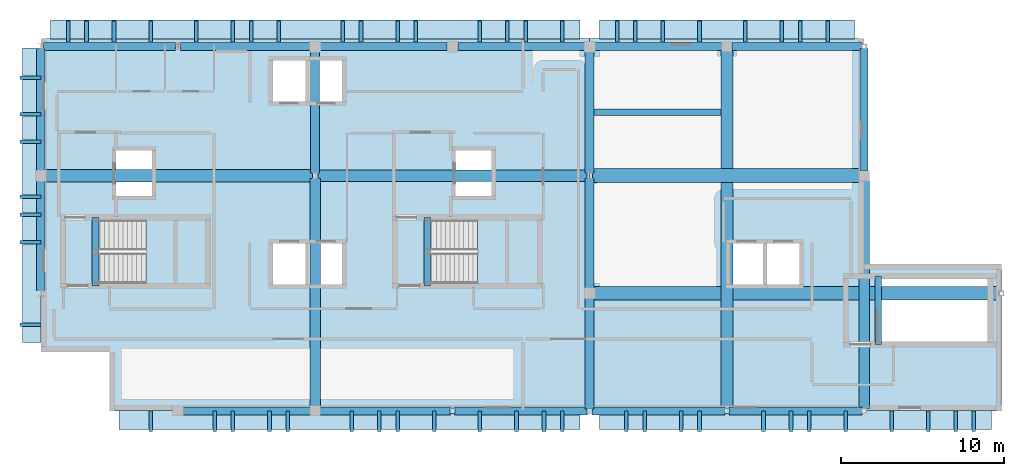
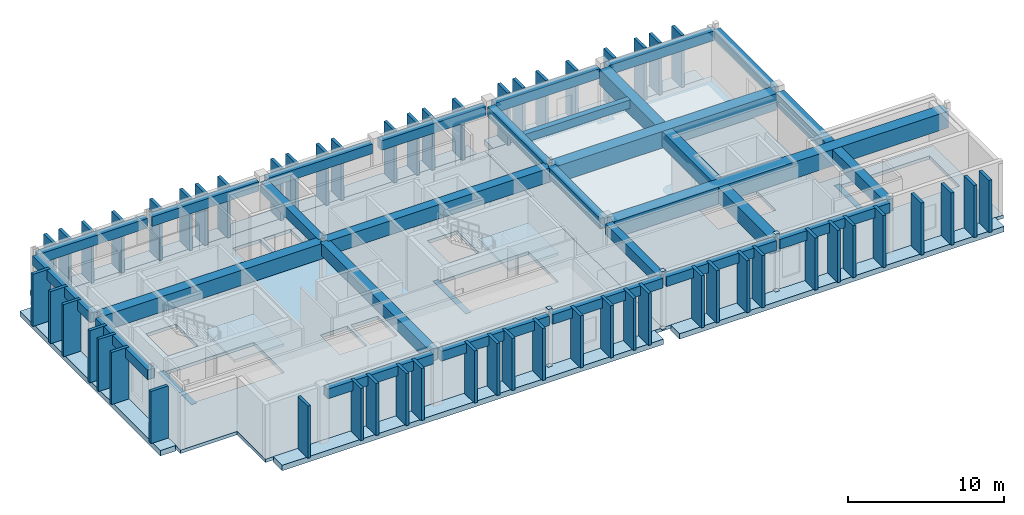
# One storey, part 3 of 8: 56 members, 29 beams, 9 slabs, 6 plates, 2 elements without a shape of their own.
"""IFC4 building model written with IfcOpenShell, lengths in metres."""

from ifc_helpers import new_model, si_unit, direction, frame, origin, origin_2d, place, context, subcontext, project, spatial, polyline, rectangle, outline, extrude, material, layer, layer_set, material_profile, profile_set, type_object, element, aggregate, save


model = new_model("IFC4")

# Units and contexts
model_context = context("Model", 3, precision=1e-05, world=origin(), true_north=direction((0.0, 1.0)))
body_context = subcontext(model_context, "Body", "Model", "MODEL_VIEW")
ifc_project = project(units=[si_unit("LENGTHUNIT", "METRE"), si_unit("AREAUNIT", "SQUARE_METRE"), si_unit("VOLUMEUNIT", "CUBIC_METRE"), si_unit("PLANEANGLEUNIT", "RADIAN"), si_unit("MASSUNIT", "GRAM", prefix="KILO")], contexts=[model_context])

# Site, building, storey
site_placement = place(None, origin())
site = spatial("IfcSite", under=ifc_project, at=site_placement, CompositionType="ELEMENT")
building_placement = place(site_placement, origin())
building = spatial("IfcBuilding", under=site, at=building_placement, Name="Quendrovan Civic Courthouse", CompositionType="ELEMENT")
storey_placement = place(building_placement, frame((0.0, 0.0, 35.699951171875)))
storey = spatial("IfcBuildingStorey", under=building, at=storey_placement, Name="L08", CompositionType="ELEMENT", Elevation=35.699951171875)

# Beams
ifc_material_1 = material(Name="Post-tensioned concrete C50/60", Category="concrete")
ifc_material_profile_1 = material_profile(ifc_material_1, rectangle(XDim=0.699951171875, YDim=1.10009765625, at=origin_2d()), Name="PT-GIRD-700x1100")
ifc_profile_set_1 = profile_set([ifc_material_profile_1], Name="Post-tensioned concrete C50/60")
beam_type_1 = type_object("IfcBeamType", Name="BM-PT1100", PredefinedType="BEAM", material=ifc_profile_set_1)
beam_1_placement = place(storey_placement, frame((50.56689453125, 102.0, 3.510009765625), z_axis=(1.0, 0.0, 0.0), x_axis=(0.0, 1.0, 0.0)))
element("IfcBeam", 1, at=beam_1_placement, inside=storey, type_object=beam_type_1, Name="L08 Girder X1161", PredefinedType="BEAM", context=body_context, shape_type="SweptSolid", body=[
    extrude(rectangle(XDim=0.699951171875, YDim=1.10009765625, at=origin_2d()), origin(), (0.0, 0.0, 1.0), 16.466064453125),
])
ifc_material_profile_2 = material_profile(ifc_material_1, rectangle(XDim=0.75, YDim=1.199951171875, at=origin_2d()), Name="PT-GIRD-750x1200")
ifc_profile_set_2 = profile_set([ifc_material_profile_2], Name="Post-tensioned concrete C50/60")
beam_type_2 = type_object("IfcBeamType", Name="BM-PT1200", PredefinedType="BEAM", material=ifc_profile_set_2)
beam_2_placement = place(storey_placement, frame((33.929931640625, 102.0, 3.4599609375), z_axis=(1.0, 0.0, 0.0), x_axis=(0.0, 1.0, 0.0)))
element("IfcBeam", 2, at=beam_2_placement, inside=storey, type_object=beam_type_2, Name="L08 Girder X1160", PredefinedType="BEAM", context=body_context, shape_type="SweptSolid", body=[
    extrude(rectangle(XDim=0.75, YDim=1.199951171875, at=origin_2d()), origin(), (0.0, 0.0, 1.0), 16.302978515625),
])
beam_3_placement = place(storey_placement, frame((75.60009765625, 87.72998046875, 3.4599609375), z_axis=(0.0, 1.0, 0.0), x_axis=(-1.0, 0.0, 0.0)))
element("IfcBeam", 3, at=beam_3_placement, inside=storey, type_object=beam_type_2, Name="L08 Girder Y1176", PredefinedType="BEAM", context=body_context, shape_type="SweptSolid", body=[
    extrude(rectangle(XDim=0.75, YDim=1.199951171875, at=origin_2d()), origin(), (0.0, 0.0, 1.0), 21.864990234375),
])
ifc_material_profile_3 = material_profile(ifc_material_1, rectangle(XDim=0.85009765625, YDim=1.300048828125, at=origin_2d()), Name="PT-GRD-850x1300")
ifc_profile_set_3 = profile_set([ifc_material_profile_3], Name="Post-tensioned concrete C50/60")
beam_type_3 = type_object("IfcBeamType", Name="BM-PT1300", PredefinedType="BEAM", material=ifc_profile_set_3)
beam_4_placement = place(storey_placement, frame((67.530029296875, 94.800048828125, 3.41015625), z_axis=(1.0, 0.0, 0.0), x_axis=(0.0, 1.0, 0.0)))
element("IfcBeam", 4, at=beam_4_placement, inside=storey, type_object=beam_type_3, Name="L08 Girder X1159", PredefinedType="BEAM", context=body_context, shape_type="SweptSolid", body=[
    extrude(rectangle(XDim=0.85009765625, YDim=1.300048828125, at=origin_2d()), origin(), (0.0, 0.0, 1.0), 24.739990234375),
])
beam_5_placement = place(storey_placement, frame((67.366943359375, 102.0, 3.41015625), z_axis=(1.0, 0.0, 0.0), x_axis=(0.0, 1.0, 0.0)))
element("IfcBeam", 5, at=beam_5_placement, inside=storey, type_object=beam_type_3, Name="L08 Girder X1162", PredefinedType="BEAM", context=body_context, shape_type="SweptSolid", body=[
    extrude(rectangle(XDim=0.85009765625, YDim=1.300048828125, at=origin_2d()), origin(), (0.0, 0.0, 1.0), 16.328125),
])
ifc_material_profile_4 = material_profile(ifc_material_1, rectangle(XDim=0.64990234375, YDim=0.949951171875, at=origin_2d()), Name="PT-GIRD-650x950")
ifc_profile_set_4 = profile_set([ifc_material_profile_4], Name="Post-tensioned concrete C50/60")
beam_type_4 = type_object("IfcBeamType", Name="BM-PT950", PredefinedType="BEAM", material=ifc_profile_set_4)
beam_6_placement = place(storey_placement, frame((50.39990234375, 87.905029296875, 3.5849609375), z_axis=(0.0, 1.0, 0.0), x_axis=(-1.0, 0.0, 0.0)))
element("IfcBeam", 6, at=beam_6_placement, inside=storey, type_object=beam_type_4, Name="L08 Girder Y1171", PredefinedType="BEAM", context=body_context, shape_type="SweptSolid", body=[
    extrude(rectangle(XDim=0.64990234375, YDim=0.949951171875, at=origin_2d()), origin(), (0.0, 0.0, 1.0), 13.928955078125),
])
beam_7_placement = place(storey_placement, frame((84.0, 87.72998046875, 3.5849609375), z_axis=(0.0, 1.0, 0.0), x_axis=(-1.0, 0.0, 0.0)))
element("IfcBeam", 7, at=beam_7_placement, inside=storey, type_object=beam_type_4, Name="L08 Girder Y1177", PredefinedType="BEAM", context=body_context, shape_type="SweptSolid", body=[
    extrude(rectangle(XDim=0.64990234375, YDim=0.949951171875, at=origin_2d()), origin(), (0.0, 0.0, 1.0), 13.965087890625),
])
ifc_material_2 = material(Name="Concrete C40/50", Category="concrete")
ifc_material_profile_5 = material_profile(ifc_material_2, rectangle(XDim=0.39990234375, YDim=0.64990234375, at=origin_2d()), Name="RC-BM-400x650")
ifc_profile_set_5 = profile_set([ifc_material_profile_5], Name="Concrete C40/50")
beam_type_5 = type_object("IfcBeamType", Name="BM-RC650", PredefinedType="JOIST", material=ifc_profile_set_5)
beam_8_placement = place(storey_placement, frame((67.455078125, 105.867919921875, 3.735107421875), z_axis=(1.0, 0.0, 0.0), x_axis=(0.0, 1.0, 0.0)))
element("IfcBeam", 8, at=beam_8_placement, inside=storey, type_object=beam_type_5, Name="L08 Secondary Joist 1179", PredefinedType="JOIST", context=body_context, shape_type="SweptSolid", body=[
    extrude(rectangle(XDim=0.39990234375, YDim=0.64990234375, at=origin_2d()), origin(), (0.0, 0.0, 1.0), 7.7900390625),
])
for number, where, z_axis, x_axis, name in (
    (9, (36.949951171875, 95.25, -0.324951171875), (0.0, 1.0, 0.0), (-1.0, 0.0, 0.0), "L08 Stair ST1 Landing Trimmer Beam"),
    (10, (57.25, 95.25, -0.324951171875), (0.0, 1.0, 0.0), (-1.0, 0.0, 0.0), "L08 Stair ST2 Landing Trimmer Beam"),
):
    element("IfcBeam", number, at=place(storey_placement, frame(where, z_axis=z_axis, x_axis=x_axis)), inside=storey, type_object=beam_type_5, Name=name, PredefinedType="JOIST", context=body_context, shape_type="SweptSolid", body=[
        extrude(rectangle(XDim=0.39990234375, YDim=0.64990234375, at=origin_2d()), origin(), (0.0, 0.0, 1.0), 4.199951171875),
    ])
beam_9_placement = place(storey_placement, frame((84.85009765625, 91.64990234375, -0.324951171875), z_axis=(0.0, 1.0, 0.0), x_axis=(-1.0, 0.0, 0.0)))
element("IfcBeam", 11, at=beam_9_placement, inside=storey, type_object=beam_type_5, Name="L08 Stair ST3 Landing Trimmer Beam", PredefinedType="JOIST", context=body_context, shape_type="SweptSolid", body=[
    extrude(rectangle(XDim=0.39990234375, YDim=0.64990234375, at=origin_2d()), origin(), (0.0, 0.0, 1.0), 4.2001953125),
])
ifc_material_profile_6 = material_profile(ifc_material_2, rectangle(XDim=0.5, YDim=0.75, at=origin_2d()), Name="RC-BM-500x750")
ifc_profile_set_6 = profile_set([ifc_material_profile_6], Name="Concrete C40/50")
beam_type_6 = type_object("IfcBeamType", Name="BM-RC750", PredefinedType="SPANDREL", material=ifc_profile_set_6)
beam_10_placement = place(storey_placement, frame((42.304931640625, 87.60009765625, 3.68505859375), z_axis=(1.0, 0.0, 0.0), x_axis=(0.0, 1.0, 0.0)))
element("IfcBeam", 12, at=beam_10_placement, inside=storey, type_object=beam_type_6, Name="L08 Girder X1154", PredefinedType="SPANDREL", context=body_context, shape_type="SweptSolid", body=[
    extrude(rectangle(XDim=0.5, YDim=0.75, at=origin_2d()), origin(), (0.0, 0.0, 1.0), 7.7900390625),
])
beam_11_placement = place(storey_placement, frame((50.705078125, 87.60009765625, 3.68505859375), z_axis=(1.0, 0.0, 0.0), x_axis=(0.0, 1.0, 0.0)))
element("IfcBeam", 13, at=beam_11_placement, inside=storey, type_object=beam_type_6, Name="L08 Girder X1155", PredefinedType="SPANDREL", context=body_context, shape_type="SweptSolid", body=[
    extrude(rectangle(XDim=0.5, YDim=0.75, at=origin_2d()), origin(), (0.0, 0.0, 1.0), 7.96484375),
])
beam_12_placement = place(storey_placement, frame((58.929931640625, 87.60009765625, 3.68505859375), z_axis=(1.0, 0.0, 0.0), x_axis=(0.0, 1.0, 0.0)))
element("IfcBeam", 14, at=beam_12_placement, inside=storey, type_object=beam_type_6, Name="L08 Girder X1156", PredefinedType="SPANDREL", context=body_context, shape_type="SweptSolid", body=[
    extrude(rectangle(XDim=0.5, YDim=0.75, at=origin_2d()), origin(), (0.0, 0.0, 1.0), 8.14013671875),
])
beam_13_placement = place(storey_placement, frame((67.330078125, 87.60009765625, 3.68505859375), z_axis=(1.0, 0.0, 0.0), x_axis=(0.0, 1.0, 0.0)))
element("IfcBeam", 15, at=beam_13_placement, inside=storey, type_object=beam_type_6, Name="L08 Girder X1157", PredefinedType="SPANDREL", context=body_context, shape_type="SweptSolid", body=[
    extrude(rectangle(XDim=0.5, YDim=0.75, at=origin_2d()), origin(), (0.0, 0.0, 1.0), 8.139892578125),
])
beam_14_placement = place(storey_placement, frame((75.72998046875, 87.60009765625, 3.68505859375), z_axis=(1.0, 0.0, 0.0), x_axis=(0.0, 1.0, 0.0)))
element("IfcBeam", 16, at=beam_14_placement, inside=storey, type_object=beam_type_6, Name="L08 Girder X1158", PredefinedType="SPANDREL", context=body_context, shape_type="SweptSolid", body=[
    extrude(rectangle(XDim=0.5, YDim=0.75, at=origin_2d()), origin(), (0.0, 0.0, 1.0), 8.14013671875),
])
beam_15_placement = place(storey_placement, frame((33.76708984375, 109.89990234375, 3.68505859375), z_axis=(1.0, 0.0, 0.0), x_axis=(0.0, 1.0, 0.0)))
element("IfcBeam", 17, at=beam_15_placement, inside=storey, type_object=beam_type_6, Name="L08 Girder X1163", PredefinedType="SPANDREL", context=body_context, shape_type="SweptSolid", body=[
    extrude(rectangle(XDim=0.5, YDim=0.75, at=origin_2d()), origin(), (0.0, 0.0, 1.0), 8.06591796875),
])
beam_16_placement = place(storey_placement, frame((42.1669921875, 109.89990234375, 3.68505859375), z_axis=(1.0, 0.0, 0.0), x_axis=(0.0, 1.0, 0.0)))
element("IfcBeam", 18, at=beam_16_placement, inside=storey, type_object=beam_type_6, Name="L08 Girder X1164", PredefinedType="SPANDREL", context=body_context, shape_type="SweptSolid", body=[
    extrude(rectangle(XDim=0.5, YDim=0.75, at=origin_2d()), origin(), (0.0, 0.0, 1.0), 7.903076171875),
])
beam_17_placement = place(storey_placement, frame((50.72998046875, 109.89990234375, 3.68505859375), z_axis=(1.0, 0.0, 0.0), x_axis=(0.0, 1.0, 0.0)))
element("IfcBeam", 19, at=beam_17_placement, inside=storey, type_object=beam_type_6, Name="L08 Girder X1165", PredefinedType="SPANDREL", context=body_context, shape_type="SweptSolid", body=[
    extrude(rectangle(XDim=0.5, YDim=0.75, at=origin_2d()), origin(), (0.0, 0.0, 1.0), 7.739990234375),
])
beam_18_placement = place(storey_placement, frame((59.1298828125, 109.89990234375, 3.68505859375), z_axis=(1.0, 0.0, 0.0), x_axis=(0.0, 1.0, 0.0)))
element("IfcBeam", 20, at=beam_18_placement, inside=storey, type_object=beam_type_6, Name="L08 Girder X1166", PredefinedType="SPANDREL", context=body_context, shape_type="SweptSolid", body=[
    extrude(rectangle(XDim=0.5, YDim=0.75, at=origin_2d()), origin(), (0.0, 0.0, 1.0), 7.740234375),
])
beam_19_placement = place(storey_placement, frame((67.530029296875, 109.89990234375, 3.68505859375), z_axis=(1.0, 0.0, 0.0), x_axis=(0.0, 1.0, 0.0)))
element("IfcBeam", 21, at=beam_19_placement, inside=storey, type_object=beam_type_6, Name="L08 Girder X1167", PredefinedType="SPANDREL", context=body_context, shape_type="SweptSolid", body=[
    extrude(rectangle(XDim=0.5, YDim=0.75, at=origin_2d()), origin(), (0.0, 0.0, 1.0), 7.764892578125),
])
beam_20_placement = place(storey_placement, frame((75.905029296875, 109.89990234375, 3.68505859375), z_axis=(1.0, 0.0, 0.0), x_axis=(0.0, 1.0, 0.0)))
element("IfcBeam", 22, at=beam_20_placement, inside=storey, type_object=beam_type_6, Name="L08 Girder X1168", PredefinedType="SPANDREL", context=body_context, shape_type="SweptSolid", body=[
    extrude(rectangle(XDim=0.5, YDim=0.75, at=origin_2d()), origin(), (0.0, 0.0, 1.0), 7.965087890625),
])
beam_21_placement = place(storey_placement, frame((33.60009765625, 94.966064453125, 3.68505859375), z_axis=(0.0, 1.0, 0.0), x_axis=(-1.0, 0.0, 0.0)))
element("IfcBeam", 23, at=beam_21_placement, inside=storey, type_object=beam_type_6, Name="L08 Girder Y1169", PredefinedType="SPANDREL", context=body_context, shape_type="SweptSolid", body=[
    extrude(rectangle(XDim=0.5, YDim=0.75, at=origin_2d()), origin(), (0.0, 0.0, 1.0), 6.703857421875),
])
beam_22_placement = place(storey_placement, frame((33.60009765625, 102.330078125, 3.68505859375), z_axis=(0.0, 1.0, 0.0), x_axis=(-1.0, 0.0, 0.0)))
element("IfcBeam", 24, at=beam_22_placement, inside=storey, type_object=beam_type_6, Name="L08 Girder Y1170", PredefinedType="SPANDREL", context=body_context, shape_type="SweptSolid", body=[
    extrude(rectangle(XDim=0.5, YDim=0.75, at=origin_2d()), origin(), (0.0, 0.0, 1.0), 7.40380859375),
])
beam_23_placement = place(storey_placement, frame((84.0, 102.304931640625, 3.68505859375), z_axis=(0.0, 1.0, 0.0), x_axis=(-1.0, 0.0, 0.0)))
element("IfcBeam", 25, at=beam_23_placement, inside=storey, type_object=beam_type_6, Name="L08 Girder Y1178", PredefinedType="SPANDREL", context=body_context, shape_type="SweptSolid", body=[
    extrude(rectangle(XDim=0.5, YDim=0.75, at=origin_2d()), origin(), (0.0, 0.0, 1.0), 7.465087890625),
])
ifc_material_profile_7 = material_profile(ifc_material_2, rectangle(XDim=0.550048828125, YDim=0.800048828125, at=origin_2d()), Name="RC-BM-550x800")
ifc_profile_set_7 = profile_set([ifc_material_profile_7], Name="Concrete C40/50")
beam_type_7 = type_object("IfcBeamType", Name="BM-RC800", PredefinedType="BEAM", material=ifc_profile_set_7)
beam_24_placement = place(storey_placement, frame((50.39990234375, 102.166015625, 3.66015625), z_axis=(0.0, 1.0, 0.0), x_axis=(-1.0, 0.0, 0.0)))
element("IfcBeam", 26, at=beam_24_placement, inside=storey, type_object=beam_type_7, Name="L08 Girder Y1172", PredefinedType="BEAM", context=body_context, shape_type="SweptSolid", body=[
    extrude(rectangle(XDim=0.550048828125, YDim=0.800048828125, at=origin_2d()), origin(), (0.0, 0.0, 1.0), 7.404052734375),
])
beam_25_placement = place(storey_placement, frame((67.199951171875, 87.72998046875, 3.66015625), z_axis=(0.0, 1.0, 0.0), x_axis=(-1.0, 0.0, 0.0)))
element("IfcBeam", 27, at=beam_25_placement, inside=storey, type_object=beam_type_7, Name="L08 Girder Y1173", PredefinedType="BEAM", context=body_context, shape_type="SweptSolid", body=[
    extrude(rectangle(XDim=0.550048828125, YDim=0.800048828125, at=origin_2d()), origin(), (0.0, 0.0, 1.0), 6.739990234375),
])
beam_26_placement = place(storey_placement, frame((67.199951171875, 95.1298828125, 3.66015625), z_axis=(0.0, 1.0, 0.0), x_axis=(-1.0, 0.0, 0.0)))
element("IfcBeam", 28, at=beam_26_placement, inside=storey, type_object=beam_type_7, Name="L08 Girder Y1174", PredefinedType="BEAM", context=body_context, shape_type="SweptSolid", body=[
    extrude(rectangle(XDim=0.550048828125, YDim=0.800048828125, at=origin_2d()), origin(), (0.0, 0.0, 1.0), 6.7041015625),
])
beam_27_placement = place(storey_placement, frame((67.199951171875, 102.166015625, 3.66015625), z_axis=(0.0, 1.0, 0.0), x_axis=(-1.0, 0.0, 0.0)))
element("IfcBeam", 29, at=beam_27_placement, inside=storey, type_object=beam_type_7, Name="L08 Girder Y1175", PredefinedType="BEAM", context=body_context, shape_type="SweptSolid", body=[
    extrude(rectangle(XDim=0.550048828125, YDim=0.800048828125, at=origin_2d()), origin(), (0.0, 0.0, 1.0), 7.404052734375),
])

# Members
ifc_material_3 = material(Name="Precast concrete C45/55", Category="concrete")
ifc_material_profile_8 = material_profile(ifc_material_3, rectangle(XDim=0.219970703125, YDim=1.280029296875, at=origin_2d()), Name="PC-FIN-220x1280")
ifc_profile_set_8 = profile_set([ifc_material_profile_8], Name="Precast concrete C45/55")
member_type = type_object("IfcMemberType", Name="MEM-PC-FIN1280", PredefinedType="USERDEFINED", material=ifc_profile_set_8)
for number, where, z_axis, x_axis, name in (
    (30, (68.8798828125, 110.83203125, 0.0), (0.0, 0.0, 1.0), (1.0, 0.0, 0.0), "L08 Precast Concrete Facade Fin 0179"),
    (31, (70.0, 110.83203125, 0.0), (0.0, 0.0, 1.0), (1.0, 0.0, 0.0), "L08 Precast Concrete Facade Fin 0180"),
    (32, (71.679931640625, 110.83203125, 0.0), (0.0, 0.0, 1.0), (1.0, 0.0, 0.0), "L08 Precast Concrete Facade Fin 0181"),
    (33, (73.919921875, 110.83203125, 0.0), (0.0, 0.0, 1.0), (1.0, 0.0, 0.0), "L08 Precast Concrete Facade Fin 0182"),
    (34, (76.719970703125, 110.83203125, 0.0), (0.0, 0.0, 1.0), (1.0, 0.0, 0.0), "L08 Precast Concrete Facade Fin 0183"),
    (35, (78.9599609375, 110.83203125, 0.0), (0.0, 0.0, 1.0), (1.0, 0.0, 0.0), "L08 Precast Concrete Facade Fin 0184"),
    (36, (80.080078125, 110.83203125, 0.0), (0.0, 0.0, 1.0), (1.0, 0.0, 0.0), "L08 Precast Concrete Facade Fin 0185"),
    (37, (81.760009765625, 110.83203125, 0.0), (0.0, 0.0, 1.0), (1.0, 0.0, 0.0), "L08 Precast Concrete Facade Fin 0186"),
    (38, (90.719970703125, 86.968017578125, 0.0), (0.0, 0.0, 1.0), (-1.0, 0.0, 0.0), "L08 Precast Concrete Facade Fin 0187"),
    (39, (89.60009765625, 86.968017578125, 0.0), (0.0, 0.0, 1.0), (-1.0, 0.0, 0.0), "L08 Precast Concrete Facade Fin 0188"),
    (40, (87.919921875, 86.968017578125, 0.0), (0.0, 0.0, 1.0), (-1.0, 0.0, 0.0), "L08 Precast Concrete Facade Fin 0189"),
    (41, (85.679931640625, 86.968017578125, 0.0), (0.0, 0.0, 1.0), (-1.0, 0.0, 0.0), "L08 Precast Concrete Facade Fin 0190"),
    (42, (82.8798828125, 86.968017578125, 0.0), (0.0, 0.0, 1.0), (-1.0, 0.0, 0.0), "L08 Precast Concrete Facade Fin 0191"),
    (43, (80.639892578125, 86.968017578125, 0.0), (0.0, 0.0, 1.0), (-1.0, 0.0, 0.0), "L08 Precast Concrete Facade Fin 0192"),
    (44, (79.52001953125, 86.968017578125, 0.0), (0.0, 0.0, 1.0), (-1.0, 0.0, 0.0), "L08 Precast Concrete Facade Fin 0193"),
    (45, (77.840087890625, 86.968017578125, 0.0), (0.0, 0.0, 1.0), (-1.0, 0.0, 0.0), "L08 Precast Concrete Facade Fin 0194"),
    (46, (73.919921875, 86.968017578125, 0.0), (0.0, 0.0, 1.0), (-1.0, 0.0, 0.0), "L08 Precast Concrete Facade Fin 0195"),
    (47, (72.800048828125, 86.968017578125, 0.0), (0.0, 0.0, 1.0), (-1.0, 0.0, 0.0), "L08 Precast Concrete Facade Fin 0196"),
    (48, (70.56005859375, 86.968017578125, 0.0), (0.0, 0.0, 1.0), (-1.0, 0.0, 0.0), "L08 Precast Concrete Facade Fin 0197"),
    (49, (69.43994140625, 86.968017578125, 0.0), (0.0, 0.0, 1.0), (-1.0, 0.0, 0.0), "L08 Precast Concrete Facade Fin 0198"),
    (50, (65.52001953125, 86.968017578125, 0.0), (0.0, 0.0, 1.0), (-1.0, 0.0, 0.0), "L08 Precast Concrete Facade Fin 0199"),
    (51, (64.39990234375, 86.968017578125, 0.0), (0.0, 0.0, 1.0), (-1.0, 0.0, 0.0), "L08 Precast Concrete Facade Fin 0200"),
    (52, (62.719970703125, 86.968017578125, 0.0), (0.0, 0.0, 1.0), (-1.0, 0.0, 0.0), "L08 Precast Concrete Facade Fin 0201"),
    (53, (60.47998046875, 86.968017578125, 0.0), (0.0, 0.0, 1.0), (-1.0, 0.0, 0.0), "L08 Precast Concrete Facade Fin 0202"),
    (54, (57.679931640625, 86.968017578125, 0.0), (0.0, 0.0, 1.0), (-1.0, 0.0, 0.0), "L08 Precast Concrete Facade Fin 0203"),
    (55, (55.43994140625, 86.968017578125, 0.0), (0.0, 0.0, 1.0), (-1.0, 0.0, 0.0), "L08 Precast Concrete Facade Fin 0204"),
    (56, (54.320068359375, 86.968017578125, 0.0), (0.0, 0.0, 1.0), (-1.0, 0.0, 0.0), "L08 Precast Concrete Facade Fin 0205"),
    (57, (52.639892578125, 86.968017578125, 0.0), (0.0, 0.0, 1.0), (-1.0, 0.0, 0.0), "L08 Precast Concrete Facade Fin 0206"),
    (58, (48.719970703125, 86.968017578125, 0.0), (0.0, 0.0, 1.0), (-1.0, 0.0, 0.0), "L08 Precast Concrete Facade Fin 0207"),
    (59, (47.60009765625, 86.968017578125, 0.0), (0.0, 0.0, 1.0), (-1.0, 0.0, 0.0), "L08 Precast Concrete Facade Fin 0208"),
    (60, (45.360107421875, 86.968017578125, 0.0), (0.0, 0.0, 1.0), (-1.0, 0.0, 0.0), "L08 Precast Concrete Facade Fin 0209"),
    (61, (44.239990234375, 86.968017578125, 0.0), (0.0, 0.0, 1.0), (-1.0, 0.0, 0.0), "L08 Precast Concrete Facade Fin 0210"),
    (62, (40.320068359375, 86.968017578125, 0.0), (0.0, 0.0, 1.0), (-1.0, 0.0, 0.0), "L08 Precast Concrete Facade Fin 0211"),
    (63, (32.968017578125, 92.8798828125, 0.0), (0.0, 0.0, 1.0), (0.0, 1.0, 0.0), "L08 Precast Concrete Facade Fin 0212"),
    (64, (32.968017578125, 97.919921875, 0.0), (0.0, 0.0, 1.0), (0.0, 1.0, 0.0), "L08 Precast Concrete Facade Fin 0213"),
    (65, (32.968017578125, 99.60009765625, 0.0), (0.0, 0.0, 1.0), (0.0, 1.0, 0.0), "L08 Precast Concrete Facade Fin 0214"),
    (66, (32.968017578125, 100.719970703125, 0.0), (0.0, 0.0, 1.0), (0.0, 1.0, 0.0), "L08 Precast Concrete Facade Fin 0215"),
    (67, (32.968017578125, 104.080078125, 0.0), (0.0, 0.0, 1.0), (0.0, 1.0, 0.0), "L08 Precast Concrete Facade Fin 0216"),
    (68, (32.968017578125, 105.760009765625, 0.0), (0.0, 0.0, 1.0), (0.0, 1.0, 0.0), "L08 Precast Concrete Facade Fin 0217"),
    (69, (32.968017578125, 108.0, 0.0), (0.0, 0.0, 1.0), (0.0, 1.0, 0.0), "L08 Precast Concrete Facade Fin 0218"),
    (70, (35.280029296875, 110.83203125, 0.0), (0.0, 0.0, 1.0), (1.0, 0.0, 0.0), "L08 Precast Concrete Facade Fin 0219"),
    (71, (36.39990234375, 110.83203125, 0.0), (0.0, 0.0, 1.0), (1.0, 0.0, 0.0), "L08 Precast Concrete Facade Fin 0220"),
    (72, (38.080078125, 110.83203125, 0.0), (0.0, 0.0, 1.0), (1.0, 0.0, 0.0), "L08 Precast Concrete Facade Fin 0221"),
    (73, (40.320068359375, 110.83203125, 0.0), (0.0, 0.0, 1.0), (1.0, 0.0, 0.0), "L08 Precast Concrete Facade Fin 0222"),
    (74, (43.1201171875, 110.83203125, 0.0), (0.0, 0.0, 1.0), (1.0, 0.0, 0.0), "L08 Precast Concrete Facade Fin 0223"),
    (75, (45.360107421875, 110.83203125, 0.0), (0.0, 0.0, 1.0), (1.0, 0.0, 0.0), "L08 Precast Concrete Facade Fin 0224"),
    (76, (46.47998046875, 110.83203125, 0.0), (0.0, 0.0, 1.0), (1.0, 0.0, 0.0), "L08 Precast Concrete Facade Fin 0225"),
    (77, (48.159912109375, 110.83203125, 0.0), (0.0, 0.0, 1.0), (1.0, 0.0, 0.0), "L08 Precast Concrete Facade Fin 0226"),
    (78, (52.080078125, 110.83203125, 0.0), (0.0, 0.0, 1.0), (1.0, 0.0, 0.0), "L08 Precast Concrete Facade Fin 0227"),
    (79, (53.199951171875, 110.83203125, 0.0), (0.0, 0.0, 1.0), (1.0, 0.0, 0.0), "L08 Precast Concrete Facade Fin 0228"),
    (80, (55.43994140625, 110.83203125, 0.0), (0.0, 0.0, 1.0), (1.0, 0.0, 0.0), "L08 Precast Concrete Facade Fin 0229"),
    (81, (56.56005859375, 110.83203125, 0.0), (0.0, 0.0, 1.0), (1.0, 0.0, 0.0), "L08 Precast Concrete Facade Fin 0230"),
    (82, (60.47998046875, 110.83203125, 0.0), (0.0, 0.0, 1.0), (1.0, 0.0, 0.0), "L08 Precast Concrete Facade Fin 0231"),
    (83, (62.159912109375, 110.83203125, 0.0), (0.0, 0.0, 1.0), (1.0, 0.0, 0.0), "L08 Precast Concrete Facade Fin 0232"),
    (84, (63.280029296875, 110.83203125, 0.0), (0.0, 0.0, 1.0), (1.0, 0.0, 0.0), "L08 Precast Concrete Facade Fin 0233"),
    (85, (65.52001953125, 110.83203125, 0.0), (0.0, 0.0, 1.0), (1.0, 0.0, 0.0), "L08 Precast Concrete Facade Fin 0234"),
):
    element("IfcMember", number, at=place(storey_placement, frame(where, z_axis=z_axis, x_axis=x_axis)), inside=storey, type_object=member_type, Name=name, ObjectType="PRECAST FACADE FIN", PredefinedType="USERDEFINED", context=body_context, shape_type="SweptSolid", body=[
        extrude(rectangle(XDim=0.219970703125, YDim=1.280029296875, at=origin_2d()), origin(), (0.0, 0.0, 1.0), 4.080078125),
    ])

# Plates
ifc_material_4 = material(Name="Steel ASTM A572 Grade 50", Category="steel")
ifc_layer_1 = layer(ifc_material_4, 0.011962890625, Name="Steel ASTM A572 Grade 50")
ifc_layer_set_1 = layer_set([ifc_layer_1], Name="Steel ASTM A572 Grade 50")
plate_type = type_object("IfcPlateType", Name="PLT-CAP-12", PredefinedType="SHEET", material=ifc_layer_set_1)
for number, where, z_axis, x_axis, name in (
    (86, (58.800048828125, 87.60009765625, 4.5), (0.0, 0.0, 1.0), (1.0, 0.0, 0.0), "L08 Hollow Column End Cap Plate COL-L08-8-M-TOP"),
    (87, (58.800048828125, 87.60009765625, -0.01171875), (0.0, 0.0, 1.0), (1.0, 0.0, 0.0), "L08 Hollow Column End Cap Plate COL-L08-8-M-BOT"),
    (88, (67.199951171875, 87.60009765625, 4.5), (0.0, 0.0, 1.0), (1.0, 0.0, 0.0), "L08 Hollow Column End Cap Plate COL-L08-9-M-TOP"),
    (89, (67.199951171875, 87.60009765625, -0.01171875), (0.0, 0.0, 1.0), (1.0, 0.0, 0.0), "L08 Hollow Column End Cap Plate COL-L08-9-M-BOT"),
    (90, (75.60009765625, 87.60009765625, 4.5), (0.0, 0.0, 1.0), (1.0, 0.0, 0.0), "L08 Hollow Column End Cap Plate COL-L08-10-M-TOP"),
    (91, (75.60009765625, 87.60009765625, -0.01171875), (0.0, 0.0, 1.0), (1.0, 0.0, 0.0), "L08 Hollow Column End Cap Plate COL-L08-10-M-BOT"),
):
    element("IfcPlate", number, at=place(storey_placement, frame(where, z_axis=z_axis, x_axis=x_axis)), inside=storey, type_object=plate_type, Name=name, PredefinedType="SHEET", context=body_context, shape_type="SweptSolid", body=[
        extrude(rectangle(XDim=0.320068359375, YDim=0.320068359375, at=origin_2d()), origin(), (0.0, 0.0, 1.0), 0.011962890625),
    ])

# Slabs
ifc_material_5 = material(Name="Precast limestone concrete C45/55", Category="masonry")
ifc_layer_2 = layer(ifc_material_5, 0.419921875, Name="Precast limestone concrete C45/55")
ifc_layer_set_2 = layer_set([ifc_layer_2], Name="Precast limestone concrete C45/55")
slab_type_1 = type_object("IfcSlabType", Name="SLB-LEDGE-420", PredefinedType="FLOOR", material=ifc_layer_set_2)
slab_1_placement = place(storey_placement, frame((0.0, 0.0, -0.419921875)))
element("IfcSlab", 92, at=slab_1_placement, inside=storey, type_object=slab_type_1, Name="L08 Precast Architectural Spandrel Fin Shelf 513-0", PredefinedType="FLOOR", context=body_context, shape_type="SweptSolid", body=[
    extrude(outline(polyline([(67.800048828125, 110.3779296875), (83.39990234375, 110.3779296875), (83.39990234375, 111.528076171875), (67.800048828125, 111.528076171875), (67.800048828125, 110.3779296875)])), origin(), (0.0, 0.0, 1.0), 0.419921875),
])
slab_2_placement = place(storey_placement, frame((0.0, 0.0, -0.419921875)))
element("IfcSlab", 93, at=slab_2_placement, inside=storey, type_object=slab_type_1, Name="L08 Precast Architectural Spandrel Fin Shelf 517-0", PredefinedType="FLOOR", context=body_context, shape_type="SweptSolid", body=[
    extrude(outline(polyline([(91.800048828125, 87.6220703125), (67.800048828125, 87.6220703125), (67.800048828125, 86.471923828125), (91.800048828125, 86.471923828125), (91.800048828125, 87.6220703125)])), origin(), (0.0, 0.0, 1.0), 0.419921875),
])
slab_3_placement = place(storey_placement, frame((0.0, 0.0, -0.419921875)))
element("IfcSlab", 94, at=slab_3_placement, inside=storey, type_object=slab_type_1, Name="L08 Precast Architectural Spandrel Fin Shelf 518-0", PredefinedType="FLOOR", context=body_context, shape_type="SweptSolid", body=[
    extrude(outline(polyline([(66.60009765625, 87.6220703125), (38.39990234375, 87.6220703125), (38.39990234375, 86.471923828125), (66.60009765625, 86.471923828125), (66.60009765625, 87.6220703125)])), origin(), (0.0, 0.0, 1.0), 0.419921875),
])
slab_4_placement = place(storey_placement, frame((0.0, 0.0, -0.419921875)))
element("IfcSlab", 95, at=slab_4_placement, inside=storey, type_object=slab_type_1, Name="L08 Precast Architectural Spandrel Fin Shelf 521-0", PredefinedType="FLOOR", context=body_context, shape_type="SweptSolid", body=[
    extrude(outline(polyline([(33.6220703125, 91.800048828125), (33.6220703125, 109.800048828125), (32.471923828125, 109.800048828125), (32.471923828125, 91.800048828125), (33.6220703125, 91.800048828125)])), origin(), (0.0, 0.0, 1.0), 0.419921875),
])
slab_5_placement = place(storey_placement, frame((0.0, 0.0, -0.419921875)))
element("IfcSlab", 96, at=slab_5_placement, inside=storey, type_object=slab_type_1, Name="L08 Precast Architectural Spandrel Fin Shelf 522-0", PredefinedType="FLOOR", context=body_context, shape_type="SweptSolid", body=[
    extrude(outline(polyline([(34.199951171875, 110.3779296875), (66.60009765625, 110.3779296875), (66.60009765625, 111.528076171875), (34.199951171875, 111.528076171875), (34.199951171875, 110.3779296875)])), origin(), (0.0, 0.0, 1.0), 0.419921875),
])
ifc_layer_3 = layer(ifc_material_2, 0.260009765625, Name="Concrete C40/50")
ifc_layer_set_3 = layer_set([ifc_layer_3], Name="Concrete C40/50")
slab_type_2 = type_object("IfcSlabType", Name="SLB-RC-260", PredefinedType="FLOOR", material=ifc_layer_set_3)
slab_6_placement = place(storey_placement, frame((0.0, 0.0, -0.260009765625)))
element("IfcSlab", 97, at=slab_6_placement, inside=storey, type_object=slab_type_2, Name="L08 Structural Floor Slab V2W", PredefinedType="FLOOR", context=body_context, shape_type="SweptSolid", body=[
    extrude(outline(polyline([(67.199951171875, 110.39990234375), (67.199951171875, 87.60009765625), (37.800048828125, 87.60009765625), (37.800048828125, 91.199951171875), (33.60009765625, 91.199951171875), (33.60009765625, 110.39990234375), (67.199951171875, 110.39990234375)]), holes=[polyline([(49.800048828125, 97.85009765625), (47.800048828125, 97.85009765625), (47.800048828125, 95.35009765625), (49.800048828125, 95.35009765625), (49.800048828125, 97.85009765625)]), polyline([(52.050048828125, 97.85009765625), (50.050048828125, 97.85009765625), (50.050048828125, 95.35009765625), (52.050048828125, 95.35009765625), (52.050048828125, 97.85009765625)]), polyline([(43.699951171875, 99.280029296875), (36.949951171875, 99.280029296875), (36.949951171875, 95.39990234375), (43.699951171875, 95.39990234375), (43.699951171875, 99.280029296875)]), polyline([(64.0, 99.280029296875), (57.25, 99.280029296875), (57.25, 95.39990234375), (64.0, 95.39990234375), (64.0, 99.280029296875)]), polyline([(40.39990234375, 103.550048828125), (38.199951171875, 103.550048828125), (38.199951171875, 100.75), (40.39990234375, 100.75), (40.39990234375, 103.550048828125)]), polyline([(61.199951171875, 103.550048828125), (59.0, 103.550048828125), (59.0, 100.75), (61.199951171875, 100.75), (61.199951171875, 103.550048828125)]), polyline([(49.800048828125, 109.050048828125), (47.800048828125, 109.050048828125), (47.800048828125, 106.550048828125), (49.800048828125, 106.550048828125), (49.800048828125, 109.050048828125)]), polyline([(52.050048828125, 109.050048828125), (50.050048828125, 109.050048828125), (50.050048828125, 106.550048828125), (52.050048828125, 106.550048828125), (52.050048828125, 109.050048828125)])]), origin(), (0.0, 0.0, 1.0), 0.260009765625),
])
slab_7_placement = place(storey_placement, frame((0.0, 0.0, -0.260009765625)))
element("IfcSlab", 98, at=slab_7_placement, inside=storey, type_object=slab_type_2, Name="L08 Structural Floor Slab V2E", PredefinedType="FLOOR", context=body_context, shape_type="SweptSolid", body=[
    extrude(outline(polyline([(67.199951171875, 87.60009765625), (67.199951171875, 110.39990234375), (84.0, 110.39990234375), (84.0, 96.60009765625), (92.39990234375, 96.60009765625), (92.39990234375, 87.60009765625), (67.199951171875, 87.60009765625)]), holes=[polyline([(84.85009765625, 91.800048828125), (91.60009765625, 91.800048828125), (91.60009765625, 95.679931640625), (84.85009765625, 95.679931640625), (84.85009765625, 91.800048828125)]), polyline([(75.800048828125, 97.85009765625), (75.800048828125, 95.35009765625), (77.800048828125, 95.35009765625), (77.800048828125, 97.85009765625), (75.800048828125, 97.85009765625)]), polyline([(78.050048828125, 97.85009765625), (78.050048828125, 95.35009765625), (80.050048828125, 95.35009765625), (80.050048828125, 97.85009765625), (78.050048828125, 97.85009765625)])]), origin(), (0.0, 0.0, 1.0), 0.260009765625),
])

# Stair, slab
stair_type = type_object("IfcStairType", Name="STR-CORE-4500", PredefinedType="HALF_TURN_STAIR", material=ifc_material_2)
stair_1_placement = place(storey_placement, origin())
stair_1 = element("IfcStair", 99, at=stair_1_placement, inside=storey, type_object=stair_type, Name="L08 West Judicial and Public Exit Stair 1", PredefinedType="HALF_TURN_STAIR")
ifc_layer_4 = layer(ifc_material_2, 0.199951171875, Name="Concrete C40/50")
ifc_layer_set_4 = layer_set([ifc_layer_4], Name="Concrete C40/50")
slab_type_3 = type_object("IfcSlabType", Name="SLB-STAIR-LND200", PredefinedType="LANDING", material=ifc_layer_set_4)
slab_8_placement = place(storey_placement, frame((0.0, 0.0, 2.050048828125)))
slab_8 = element("IfcSlab", 100, at=slab_8_placement, type_object=slab_type_3, Name="ST1 landing 1", PredefinedType="LANDING", context=body_context, shape_type="SweptSolid", body=[
    extrude(outline(polyline([(40.030029296875, 95.39990234375), (43.699951171875, 95.39990234375), (43.699951171875, 99.280029296875), (40.030029296875, 99.280029296875), (40.030029296875, 95.39990234375)])), origin(), (0.0, 0.0, 1.0), 0.199951171875),
])
aggregate(stair_1, [slab_8])

stair_2_placement = place(storey_placement, origin())
stair_2 = element("IfcStair", 101, at=stair_2_placement, inside=storey, type_object=stair_type, Name="L08 Central Judicial and Firefighting Exit Stair 2", PredefinedType="HALF_TURN_STAIR")
slab_9_placement = place(storey_placement, frame((0.0, 0.0, 2.050048828125)))
slab_9 = element("IfcSlab", 102, at=slab_9_placement, type_object=slab_type_3, Name="ST2 landing 1", PredefinedType="LANDING", context=body_context, shape_type="SweptSolid", body=[
    extrude(outline(polyline([(60.330078125, 95.39990234375), (64.0, 95.39990234375), (64.0, 99.280029296875), (60.330078125, 99.280029296875), (60.330078125, 95.39990234375)])), origin(), (0.0, 0.0, 1.0), 0.199951171875),
])
aggregate(stair_2, [slab_9])

save(model, "model.ifc")
